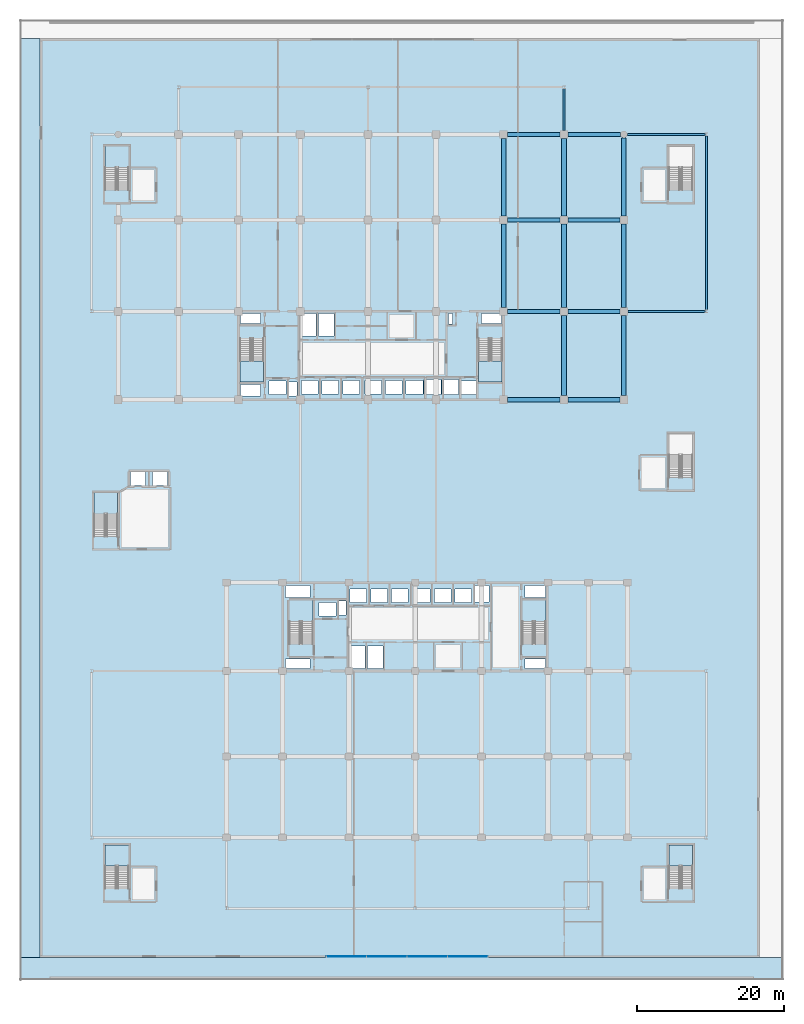
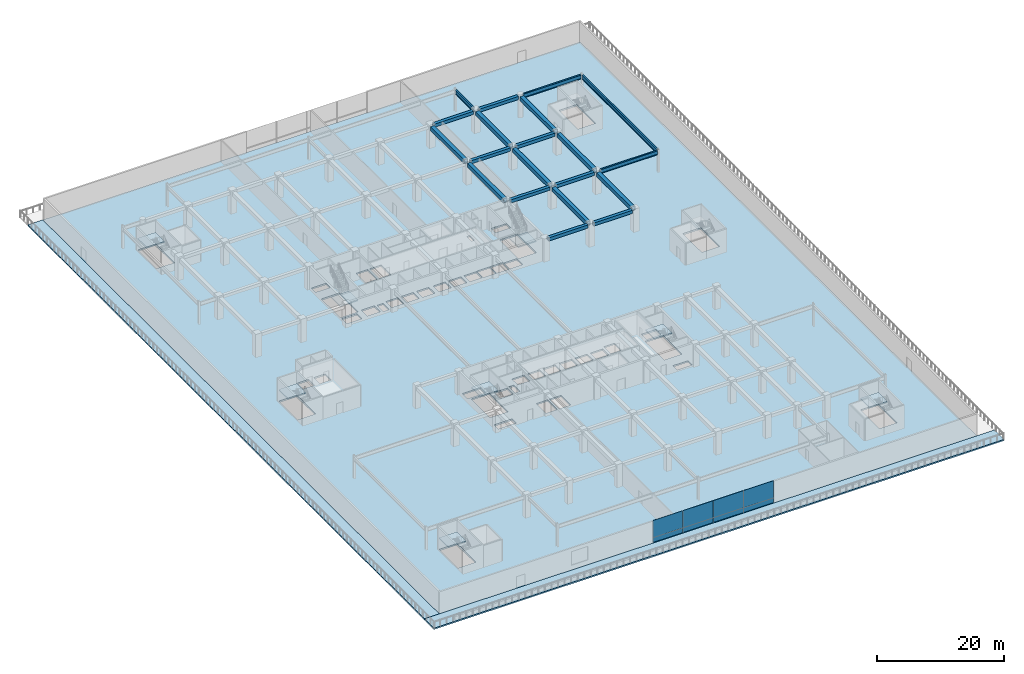
# One storey, part 16 of 43: 20 beams, 11 slabs, 8 plates, 9 elements without a shape of their own.
"""IFC4 building model written with IfcOpenShell, lengths in metres."""

from ifc_helpers import new_model, si_unit, direction, frame, origin, origin_2d, place, context, subcontext, project, spatial, polyline, rectangle, i_section, outline, extrude, material, layer, layer_set, material_profile, profile_set, type_object, element, aggregate, save


model = new_model("IFC4")

# Units and contexts
model_context = context("Model", 3, precision=1e-05, world=origin(), true_north=direction((0.0, 1.0)))
body_context = subcontext(model_context, "Body", "Model", "MODEL_VIEW")
ifc_project = project(units=[si_unit("LENGTHUNIT", "METRE"), si_unit("AREAUNIT", "SQUARE_METRE"), si_unit("VOLUMEUNIT", "CUBIC_METRE"), si_unit("PLANEANGLEUNIT", "RADIAN"), si_unit("MASSUNIT", "GRAM", prefix="KILO")], contexts=[model_context])

# Site, building, storey
site_placement = place(None, origin())
site = spatial("IfcSite", under=ifc_project, at=site_placement, CompositionType="ELEMENT")
building_placement = place(site_placement, origin())
building = spatial("IfcBuilding", under=site, at=building_placement, Name="Korimba Cascade Residences", CompositionType="ELEMENT")
storey_placement = place(building_placement, frame((0.0, 0.0, 10.0)))
storey = spatial("IfcBuildingStorey", under=building, at=storey_placement, Name="L02", CompositionType="ELEMENT", Elevation=10.0)

# Beams
ifc_material_1 = material(Name="Concrete C50/60", Category="concrete")
ifc_material_profile_1 = material_profile(ifc_material_1, rectangle(XDim=0.550048828125, YDim=0.60009765625, at=origin_2d()), Name="Concrete C50/60")
ifc_profile_set_1 = profile_set([ifc_material_profile_1], Name="Concrete C50/60")
beam_type_1 = type_object("IfcBeamType", Name="BM-RC-B600", PredefinedType="BEAM", material=ifc_profile_set_1)
beam_1_placement = place(storey_placement, frame((112.64990234375, 55.199951171875, 3.89990234375), z_axis=(1.0, 0.0, 0.0), x_axis=(0.0, 1.0, 0.0)))
element("IfcBeam", 1, at=beam_1_placement, inside=storey, type_object=beam_type_1, Name="L02 T1 E-W Girder Y1 Bay 7", PredefinedType="BEAM", context=body_context, shape_type="SweptSolid", body=[
    extrude(rectangle(XDim=0.550048828125, YDim=0.60009765625, at=origin_2d()), origin(), (0.0, 0.0, 1.0), 7.10009765625),
])
beam_2_placement = place(storey_placement, frame((120.85009765625, 55.199951171875, 3.89990234375), z_axis=(1.0, 0.0, 0.0), x_axis=(0.0, 1.0, 0.0)))
element("IfcBeam", 2, at=beam_2_placement, inside=storey, type_object=beam_type_1, Name="L02 T1 E-W Girder Y1 Bay 8", PredefinedType="BEAM", context=body_context, shape_type="SweptSolid", body=[
    extrude(rectangle(XDim=0.550048828125, YDim=0.60009765625, at=origin_2d()), origin(), (0.0, 0.0, 1.0), 7.0),
])
beam_3_placement = place(storey_placement, frame((112.64990234375, 67.199951171875, 3.89990234375), z_axis=(1.0, 0.0, 0.0), x_axis=(0.0, 1.0, 0.0)))
element("IfcBeam", 3, at=beam_3_placement, inside=storey, type_object=beam_type_1, Name="L02 T1 E-W Girder Y2 Bay 7", PredefinedType="BEAM", context=body_context, shape_type="SweptSolid", body=[
    extrude(rectangle(XDim=0.550048828125, YDim=0.60009765625, at=origin_2d()), origin(), (0.0, 0.0, 1.0), 7.10009765625),
])
beam_4_placement = place(storey_placement, frame((120.85009765625, 67.199951171875, 3.89990234375), z_axis=(1.0, 0.0, 0.0), x_axis=(0.0, 1.0, 0.0)))
element("IfcBeam", 4, at=beam_4_placement, inside=storey, type_object=beam_type_1, Name="L02 T1 E-W Girder Y2 Bay 8", PredefinedType="BEAM", context=body_context, shape_type="SweptSolid", body=[
    extrude(rectangle(XDim=0.550048828125, YDim=0.60009765625, at=origin_2d()), origin(), (0.0, 0.0, 1.0), 7.0),
])
beam_5_placement = place(storey_placement, frame((112.64990234375, 79.60009765625, 3.89990234375), z_axis=(1.0, 0.0, 0.0), x_axis=(0.0, 1.0, 0.0)))
element("IfcBeam", 5, at=beam_5_placement, inside=storey, type_object=beam_type_1, Name="L02 T1 E-W Girder Y3 Bay 7", PredefinedType="BEAM", context=body_context, shape_type="SweptSolid", body=[
    extrude(rectangle(XDim=0.550048828125, YDim=0.60009765625, at=origin_2d()), origin(), (0.0, 0.0, 1.0), 7.10009765625),
])
beam_6_placement = place(storey_placement, frame((120.85009765625, 79.60009765625, 3.89990234375), z_axis=(1.0, 0.0, 0.0), x_axis=(0.0, 1.0, 0.0)))
element("IfcBeam", 6, at=beam_6_placement, inside=storey, type_object=beam_type_1, Name="L02 T1 E-W Girder Y3 Bay 8", PredefinedType="BEAM", context=body_context, shape_type="SweptSolid", body=[
    extrude(rectangle(XDim=0.550048828125, YDim=0.60009765625, at=origin_2d()), origin(), (0.0, 0.0, 1.0), 7.0),
])
beam_7_placement = place(storey_placement, frame((112.64990234375, 91.199951171875, 3.89990234375), z_axis=(1.0, 0.0, 0.0), x_axis=(0.0, 1.0, 0.0)))
element("IfcBeam", 7, at=beam_7_placement, inside=storey, type_object=beam_type_1, Name="L02 T1 E-W Girder Y4 Bay 7", PredefinedType="BEAM", context=body_context, shape_type="SweptSolid", body=[
    extrude(rectangle(XDim=0.550048828125, YDim=0.60009765625, at=origin_2d()), origin(), (0.0, 0.0, 1.0), 7.10009765625),
])
beam_8_placement = place(storey_placement, frame((120.85009765625, 91.199951171875, 3.89990234375), z_axis=(1.0, 0.0, 0.0), x_axis=(0.0, 1.0, 0.0)))
element("IfcBeam", 8, at=beam_8_placement, inside=storey, type_object=beam_type_1, Name="L02 T1 E-W Girder Y4 Bay 8", PredefinedType="BEAM", context=body_context, shape_type="SweptSolid", body=[
    extrude(rectangle(XDim=0.550048828125, YDim=0.60009765625, at=origin_2d()), origin(), (0.0, 0.0, 1.0), 7.074951171875),
])
ifc_material_profile_2 = material_profile(ifc_material_1, rectangle(XDim=0.64990234375, YDim=0.75, at=origin_2d()), Name="Concrete C50/60")
ifc_profile_set_2 = profile_set([ifc_material_profile_2], Name="Concrete C50/60")
beam_type_2 = type_object("IfcBeamType", Name="BM-RC-G750", PredefinedType="BEAM", material=ifc_profile_set_2)
beam_9_placement = place(storey_placement, frame((112.10009765625, 67.75, 3.824951171875), z_axis=(0.0, 1.0, 0.0), x_axis=(-1.0, 0.0, 0.0)))
element("IfcBeam", 9, at=beam_9_placement, inside=storey, type_object=beam_type_2, Name="L02 T1 N-S Girder X7 Seg 2", PredefinedType="BEAM", context=body_context, shape_type="SweptSolid", body=[
    extrude(rectangle(XDim=0.64990234375, YDim=0.75, at=origin_2d()), origin(), (0.0, 0.0, 1.0), 11.300048828125),
])
beam_10_placement = place(storey_placement, frame((112.10009765625, 80.14990234375, 3.824951171875), z_axis=(0.0, 1.0, 0.0), x_axis=(-1.0, 0.0, 0.0)))
element("IfcBeam", 10, at=beam_10_placement, inside=storey, type_object=beam_type_2, Name="L02 T1 N-S Girder X7 Seg 3", PredefinedType="BEAM", context=body_context, shape_type="SweptSolid", body=[
    extrude(rectangle(XDim=0.64990234375, YDim=0.75, at=origin_2d()), origin(), (0.0, 0.0, 1.0), 10.5),
])
beam_11_placement = place(storey_placement, frame((120.300048828125, 55.75, 3.824951171875), z_axis=(0.0, 1.0, 0.0), x_axis=(-1.0, 0.0, 0.0)))
element("IfcBeam", 11, at=beam_11_placement, inside=storey, type_object=beam_type_2, Name="L02 T1 N-S Girder X8 Seg 1", PredefinedType="BEAM", context=body_context, shape_type="SweptSolid", body=[
    extrude(rectangle(XDim=0.64990234375, YDim=0.75, at=origin_2d()), origin(), (0.0, 0.0, 1.0), 10.89990234375),
])
beam_12_placement = place(storey_placement, frame((120.300048828125, 67.75, 3.824951171875), z_axis=(0.0, 1.0, 0.0), x_axis=(-1.0, 0.0, 0.0)))
element("IfcBeam", 12, at=beam_12_placement, inside=storey, type_object=beam_type_2, Name="L02 T1 N-S Girder X8 Seg 2", PredefinedType="BEAM", context=body_context, shape_type="SweptSolid", body=[
    extrude(rectangle(XDim=0.64990234375, YDim=0.75, at=origin_2d()), origin(), (0.0, 0.0, 1.0), 11.300048828125),
])
beam_13_placement = place(storey_placement, frame((120.300048828125, 80.14990234375, 3.824951171875), z_axis=(0.0, 1.0, 0.0), x_axis=(-1.0, 0.0, 0.0)))
element("IfcBeam", 13, at=beam_13_placement, inside=storey, type_object=beam_type_2, Name="L02 T1 N-S Girder X8 Seg 3", PredefinedType="BEAM", context=body_context, shape_type="SweptSolid", body=[
    extrude(rectangle(XDim=0.64990234375, YDim=0.75, at=origin_2d()), origin(), (0.0, 0.0, 1.0), 10.5),
])
beam_14_placement = place(storey_placement, frame((128.39990234375, 55.75, 3.824951171875), z_axis=(0.0, 1.0, 0.0), x_axis=(-1.0, 0.0, 0.0)))
element("IfcBeam", 14, at=beam_14_placement, inside=storey, type_object=beam_type_2, Name="L02 T1 N-S Girder X9 Seg 1", PredefinedType="BEAM", context=body_context, shape_type="SweptSolid", body=[
    extrude(rectangle(XDim=0.64990234375, YDim=0.75, at=origin_2d()), origin(), (0.0, 0.0, 1.0), 10.89990234375),
])
beam_15_placement = place(storey_placement, frame((128.39990234375, 67.75, 3.824951171875), z_axis=(0.0, 1.0, 0.0), x_axis=(-1.0, 0.0, 0.0)))
element("IfcBeam", 15, at=beam_15_placement, inside=storey, type_object=beam_type_2, Name="L02 T1 N-S Girder X9 Seg 2", PredefinedType="BEAM", context=body_context, shape_type="SweptSolid", body=[
    extrude(rectangle(XDim=0.64990234375, YDim=0.75, at=origin_2d()), origin(), (0.0, 0.0, 1.0), 11.300048828125),
])
beam_16_placement = place(storey_placement, frame((128.39990234375, 80.14990234375, 3.824951171875), z_axis=(0.0, 1.0, 0.0), x_axis=(-1.0, 0.0, 0.0)))
element("IfcBeam", 16, at=beam_16_placement, inside=storey, type_object=beam_type_2, Name="L02 T1 N-S Girder X9 Seg 3", PredefinedType="BEAM", context=body_context, shape_type="SweptSolid", body=[
    extrude(rectangle(XDim=0.64990234375, YDim=0.75, at=origin_2d()), origin(), (0.0, 0.0, 1.0), 10.5751953125),
])
ifc_material_2 = material(Name="Steel S355", Category="steel")
ifc_material_profile_3 = material_profile(ifc_material_2, i_section(OverallWidth=0.26806640625, OverallDepth=0.769775390625, WebThickness=0.015625, FlangeThickness=0.025390625, FilletRadius=0.0166015625, at=origin_2d()), Name="Steel S355")
ifc_profile_set_3 = profile_set([ifc_material_profile_3], Name="Steel S355")
beam_type_3 = type_object("IfcBeamType", Name="BM-STL-UB762", PredefinedType="BEAM", material=ifc_profile_set_3)
beam_17_placement = place(storey_placement, frame((128.949951171875, 67.199951171875, 3.815185546875), z_axis=(1.0, 0.0, 0.0), x_axis=(0.0, 1.0, 0.0)))
element("IfcBeam", 17, at=beam_17_placement, inside=storey, type_object=beam_type_3, Name="L02 Podium Frame Girder E3", PredefinedType="BEAM", context=body_context, shape_type="SweptSolid", body=[
    extrude(i_section(OverallWidth=0.26806640625, OverallDepth=0.769775390625, WebThickness=0.015625, FlangeThickness=0.025390625, FilletRadius=0.0166015625, at=origin_2d()), origin(), (0.0, 0.0, 1.0), 10.450439453125),
])
beam_18_placement = place(storey_placement, frame((128.875, 91.199951171875, 3.815185546875), z_axis=(1.0, 0.0, 0.0), x_axis=(0.0, 1.0, 0.0)))
element("IfcBeam", 18, at=beam_18_placement, inside=storey, type_object=beam_type_3, Name="L02 Podium Frame Girder E4", PredefinedType="BEAM", context=body_context, shape_type="SweptSolid", body=[
    extrude(i_section(OverallWidth=0.26806640625, OverallDepth=0.769775390625, WebThickness=0.015625, FlangeThickness=0.025390625, FilletRadius=0.0166015625, at=origin_2d()), origin(), (0.0, 0.0, 1.0), 10.525390625),
])
beam_19_placement = place(storey_placement, frame((139.60009765625, 67.396728515625, 3.815185546875), z_axis=(0.0, 1.0, 0.0), x_axis=(-1.0, 0.0, 0.0)))
element("IfcBeam", 19, at=beam_19_placement, inside=storey, type_object=beam_type_3, Name="L02 Podium Frame Girder ES", PredefinedType="BEAM", context=body_context, shape_type="SweptSolid", body=[
    extrude(i_section(OverallWidth=0.26806640625, OverallDepth=0.769775390625, WebThickness=0.015625, FlangeThickness=0.025390625, FilletRadius=0.0166015625, at=origin_2d()), origin(), (0.0, 0.0, 1.0), 23.6064453125),
])
beam_20_placement = place(storey_placement, frame((120.300048828125, 91.75, 3.815185546875), z_axis=(0.0, 1.0, 0.0), x_axis=(-1.0, 0.0, 0.0)))
element("IfcBeam", 20, at=beam_20_placement, inside=storey, type_object=beam_type_3, Name="L02 Podium Frame Girder N3", PredefinedType="BEAM", context=body_context, shape_type="SweptSolid", body=[
    extrude(i_section(OverallWidth=0.26806640625, OverallDepth=0.769775390625, WebThickness=0.015625, FlangeThickness=0.025390625, FilletRadius=0.0166015625, at=origin_2d()), origin(), (0.0, 0.0, 1.0), 5.6533203125),
])

# Curtain wall, plates
ifc_material_3 = material(Name="Anodised Aluminium Curtain Wall Framing", Category="aluminium")
ifc_layer_1 = layer(ifc_material_3, 0.179931640625)
ifc_layer_set_1 = layer_set([ifc_layer_1], Name="Anodised Aluminium Curtain Wall Framing")
curtain_wall_type = type_object("IfcCurtainWallType", Name="CW-POD-SYS1", PredefinedType="NOTDEFINED", material=ifc_layer_set_1)
curtain_wall_placement = place(storey_placement, origin())
curtain_wall = element("IfcCurtainWall", 21, at=curtain_wall_placement, inside=storey, type_object=curtain_wall_type, Name="L02 Curtain Wall CW-L02-POD-S", PredefinedType="NOTDEFINED")
ifc_material_4 = material(Name="Insulated Stone-Tone Spandrel Panel", Category="masonry")
ifc_layer_2 = layer(ifc_material_4, 0.0400390625)
ifc_layer_set_2 = layer_set([ifc_layer_2], Name="Insulated Stone-Tone Spandrel Panel")
plate_type_1 = type_object("IfcPlateType", Name="CWP-SPN-40", PredefinedType="USERDEFINED", material=ifc_layer_set_2)
plate_1_placement = place(storey_placement, frame((90.77001953125, -20.35009765625, 0.0), z_axis=(0.0, 0.0, 1.0), x_axis=(1.0, 0.0, 0.0)))
plate_1 = element("IfcPlate", 22, at=plate_1_placement, type_object=plate_type_1, Name="CW-L02-POD-S Spandrel Panel 1", ObjectType="SPANDREL", PredefinedType="USERDEFINED", context=body_context, shape_type="SweptSolid", body=[
    extrude(rectangle(XDim=5.409912109375, YDim=0.0400390625, at=origin_2d()), origin(), (0.0, 0.0, 1.0), 0.89990234375),
])
plate_2_placement = place(storey_placement, frame((96.25, -20.35009765625, 0.0), z_axis=(0.0, 0.0, 1.0), x_axis=(1.0, 0.0, 0.0)))
plate_2 = element("IfcPlate", 23, at=plate_2_placement, type_object=plate_type_1, Name="CW-L02-POD-S Spandrel Panel 2", ObjectType="SPANDREL", PredefinedType="USERDEFINED", context=body_context, shape_type="SweptSolid", body=[
    extrude(rectangle(XDim=5.449951171875, YDim=0.0400390625, at=origin_2d()), origin(), (0.0, 0.0, 1.0), 0.89990234375),
])
plate_3_placement = place(storey_placement, frame((101.75, -20.35009765625, 0.0), z_axis=(0.0, 0.0, 1.0), x_axis=(1.0, 0.0, 0.0)))
plate_3 = element("IfcPlate", 24, at=plate_3_placement, type_object=plate_type_1, Name="CW-L02-POD-S Spandrel Panel 3", ObjectType="SPANDREL", PredefinedType="USERDEFINED", context=body_context, shape_type="SweptSolid", body=[
    extrude(rectangle(XDim=5.449951171875, YDim=0.0400390625, at=origin_2d()), origin(), (0.0, 0.0, 1.0), 0.89990234375),
])
plate_4_placement = place(storey_placement, frame((107.22998046875, -20.35009765625, 0.0), z_axis=(0.0, 0.0, 1.0), x_axis=(1.0, 0.0, 0.0)))
plate_4 = element("IfcPlate", 25, at=plate_4_placement, type_object=plate_type_1, Name="CW-L02-POD-S Spandrel Panel 4", ObjectType="SPANDREL", PredefinedType="USERDEFINED", context=body_context, shape_type="SweptSolid", body=[
    extrude(rectangle(XDim=5.409912109375, YDim=0.0400390625, at=origin_2d()), origin(), (0.0, 0.0, 1.0), 0.89990234375),
])
ifc_material_5 = material(Name="Low-E Double Glazing Unit", Category="glass")
ifc_layer_3 = layer(ifc_material_5, 0.028076171875)
ifc_layer_set_3 = layer_set([ifc_layer_3], Name="Low-E Double Glazing Unit")
plate_type_2 = type_object("IfcPlateType", Name="CWP-VIS-28", PredefinedType="CURTAIN_PANEL", material=ifc_layer_set_3)
plate_5_placement = place(storey_placement, frame((90.77001953125, -20.35009765625, 0.89990234375), z_axis=(0.0, 0.0, 1.0), x_axis=(1.0, 0.0, 0.0)))
plate_5 = element("IfcPlate", 26, at=plate_5_placement, type_object=plate_type_2, Name="CW-L02-POD-S Vision Glass Panel 1", PredefinedType="CURTAIN_PANEL", context=body_context, shape_type="SweptSolid", body=[
    extrude(rectangle(XDim=5.409912109375, YDim=0.028076171875, at=origin_2d()), origin(), (0.0, 0.0, 1.0), 3.300048828125),
])
plate_6_placement = place(storey_placement, frame((96.25, -20.35009765625, 0.89990234375), z_axis=(0.0, 0.0, 1.0), x_axis=(1.0, 0.0, 0.0)))
plate_6 = element("IfcPlate", 27, at=plate_6_placement, type_object=plate_type_2, Name="CW-L02-POD-S Vision Glass Panel 2", PredefinedType="CURTAIN_PANEL", context=body_context, shape_type="SweptSolid", body=[
    extrude(rectangle(XDim=5.449951171875, YDim=0.028076171875, at=origin_2d()), origin(), (0.0, 0.0, 1.0), 3.300048828125),
])
plate_7_placement = place(storey_placement, frame((101.75, -20.35009765625, 0.89990234375), z_axis=(0.0, 0.0, 1.0), x_axis=(1.0, 0.0, 0.0)))
plate_7 = element("IfcPlate", 28, at=plate_7_placement, type_object=plate_type_2, Name="CW-L02-POD-S Vision Glass Panel 3", PredefinedType="CURTAIN_PANEL", context=body_context, shape_type="SweptSolid", body=[
    extrude(rectangle(XDim=5.449951171875, YDim=0.028076171875, at=origin_2d()), origin(), (0.0, 0.0, 1.0), 3.300048828125),
])
plate_8_placement = place(storey_placement, frame((107.22998046875, -20.35009765625, 0.89990234375), z_axis=(0.0, 0.0, 1.0), x_axis=(1.0, 0.0, 0.0)))
plate_8 = element("IfcPlate", 29, at=plate_8_placement, type_object=plate_type_2, Name="CW-L02-POD-S Vision Glass Panel 4", PredefinedType="CURTAIN_PANEL", context=body_context, shape_type="SweptSolid", body=[
    extrude(rectangle(XDim=5.409912109375, YDim=0.028076171875, at=origin_2d()), origin(), (0.0, 0.0, 1.0), 3.300048828125),
])
aggregate(curtain_wall, [plate_1, plate_5, plate_2, plate_6, plate_3, plate_7, plate_4, plate_8])

# Stair, slab
stair_type_1 = type_object("IfcStairType", Name="STR-W1-24R-1875", PredefinedType="HALF_TURN_STAIR", material=ifc_material_1)
stair_1_placement = place(storey_placement, origin())
stair_1 = element("IfcStair", 30, at=stair_1_placement, inside=storey, type_object=stair_type_1, Name="L02 Tower 1 West Fire Stair ST-W1", PredefinedType="HALF_TURN_STAIR")
ifc_layer_4 = layer(ifc_material_1, 0.199951171875)
ifc_layer_set_4 = layer_set([ifc_layer_4], Name="Concrete C50/60")
slab_type_1 = type_object("IfcSlabType", Name="SLB-LND-220", PredefinedType="LANDING", material=ifc_layer_set_4)
slab_1_placement = place(storey_placement, frame((0.0, 0.0, 2.050048828125)))
slab_1 = element("IfcSlab", 31, at=slab_1_placement, type_object=slab_type_1, Name="ST-W1 landing 1", PredefinedType="LANDING", context=body_context, shape_type="SweptSolid", body=[
    extrude(outline(polyline([(76.300048828125, 60.469970703125), (76.300048828125, 57.60009765625), (79.5400390625, 57.60009765625), (79.5400390625, 60.469970703125), (76.300048828125, 60.469970703125)])), origin(), (0.0, 0.0, 1.0), 0.199951171875),
])
aggregate(stair_1, [slab_1])

stair_type_2 = type_object("IfcStairType", Name="STR-W2-24R-1875", PredefinedType="HALF_TURN_STAIR", material=ifc_material_1)
stair_2_placement = place(storey_placement, origin())
stair_2 = element("IfcStair", 32, at=stair_2_placement, inside=storey, type_object=stair_type_2, Name="L02 Tower 1 East Fire Stair ST-W2", PredefinedType="HALF_TURN_STAIR")
slab_2_placement = place(storey_placement, frame((0.0, 0.0, 2.050048828125)))
slab_2 = element("IfcSlab", 33, at=slab_2_placement, type_object=slab_type_1, Name="ST-W2 landing 1", PredefinedType="LANDING", context=body_context, shape_type="SweptSolid", body=[
    extrude(outline(polyline([(108.659912109375, 60.469970703125), (108.659912109375, 57.60009765625), (111.89990234375, 57.60009765625), (111.89990234375, 60.469970703125), (108.659912109375, 60.469970703125)])), origin(), (0.0, 0.0, 1.0), 0.199951171875),
])
aggregate(stair_2, [slab_2])

stair_type_3 = type_object("IfcStairType", Name="STR-E1-24R-1875", PredefinedType="HALF_TURN_STAIR", material=ifc_material_1)
stair_3_placement = place(storey_placement, origin())
stair_3 = element("IfcStair", 34, at=stair_3_placement, inside=storey, type_object=stair_type_3, Name="L02 Tower 2 West Fire Stair ST-E1", PredefinedType="HALF_TURN_STAIR")
slab_3_placement = place(storey_placement, frame((0.0, 0.0, 2.050048828125)))
slab_3 = element("IfcSlab", 35, at=slab_3_placement, type_object=slab_type_1, Name="ST-E1 landing 1", PredefinedType="LANDING", context=body_context, shape_type="SweptSolid", body=[
    extrude(outline(polyline([(86.239990234375, 25.1298828125), (86.239990234375, 28.0), (83.0, 28.0), (83.0, 25.1298828125), (86.239990234375, 25.1298828125)])), origin(), (0.0, 0.0, 1.0), 0.199951171875),
])
aggregate(stair_3, [slab_3])

stair_type_4 = type_object("IfcStairType", Name="STR-E2-24R-1875", PredefinedType="HALF_TURN_STAIR", material=ifc_material_1)
stair_4_placement = place(storey_placement, origin())
stair_4 = element("IfcStair", 36, at=stair_4_placement, inside=storey, type_object=stair_type_4, Name="L02 Tower 2 East Fire Stair ST-E2", PredefinedType="HALF_TURN_STAIR")
slab_4_placement = place(storey_placement, frame((0.0, 0.0, 2.050048828125)))
slab_4 = element("IfcSlab", 37, at=slab_4_placement, type_object=slab_type_1, Name="ST-E2 landing 1", PredefinedType="LANDING", context=body_context, shape_type="SweptSolid", body=[
    extrude(outline(polyline([(117.840087890625, 25.1298828125), (117.840087890625, 28.0), (114.60009765625, 28.0), (114.60009765625, 25.1298828125), (117.840087890625, 25.1298828125)])), origin(), (0.0, 0.0, 1.0), 0.199951171875),
])
aggregate(stair_4, [slab_4])

stair_type_5 = type_object("IfcStairType", Name="STR-P1-24R-1875", PredefinedType="HALF_TURN_STAIR", material=ifc_material_1)
stair_5_placement = place(storey_placement, origin())
stair_5 = element("IfcStair", 38, at=stair_5_placement, inside=storey, type_object=stair_type_5, Name="L02 Podium West Fire Stair ST-P1", PredefinedType="HALF_TURN_STAIR")
slab_5_placement = place(storey_placement, frame((0.0, 0.0, 2.050048828125)))
slab_5 = element("IfcSlab", 39, at=slab_5_placement, type_object=slab_type_1, Name="ST-P1 landing 1", PredefinedType="LANDING", context=body_context, shape_type="SweptSolid", body=[
    extrude(outline(polyline([(59.739990234375, 39.72998046875), (59.739990234375, 42.60009765625), (56.5, 42.60009765625), (56.5, 39.72998046875), (59.739990234375, 39.72998046875)])), origin(), (0.0, 0.0, 1.0), 0.199951171875),
])
aggregate(stair_5, [slab_5])

stair_type_6 = type_object("IfcStairType", Name="STR-P3-24R-1875", PredefinedType="HALF_TURN_STAIR", material=ifc_material_1)
stair_6_placement = place(storey_placement, origin())
stair_6 = element("IfcStair", 40, at=stair_6_placement, inside=storey, type_object=stair_type_6, Name="L02 Podium South-West Corner Fire Stair ST-P3", PredefinedType="HALF_TURN_STAIR")
slab_6_placement = place(storey_placement, frame((0.0, 0.0, 2.050048828125)))
slab_6 = element("IfcSlab", 41, at=slab_6_placement, type_object=slab_type_1, Name="ST-P3 landing 1", PredefinedType="LANDING", context=body_context, shape_type="SweptSolid", body=[
    extrude(outline(polyline([(61.239990234375, -8.070068359375), (61.239990234375, -5.199951171875), (58.0, -5.199951171875), (58.0, -8.070068359375), (61.239990234375, -8.070068359375)])), origin(), (0.0, 0.0, 1.0), 0.199951171875),
])
aggregate(stair_6, [slab_6])

stair_type_7 = type_object("IfcStairType", Name="STR-P5-24R-1875", PredefinedType="HALF_TURN_STAIR", material=ifc_material_1)
stair_7_placement = place(storey_placement, origin())
stair_7 = element("IfcStair", 42, at=stair_7_placement, inside=storey, type_object=stair_type_7, Name="L02 Podium North-West Corner Fire Stair ST-P5", PredefinedType="HALF_TURN_STAIR")
slab_7_placement = place(storey_placement, frame((0.0, 0.0, 2.050048828125)))
slab_7 = element("IfcSlab", 43, at=slab_7_placement, type_object=slab_type_1, Name="ST-P5 landing 1", PredefinedType="LANDING", context=body_context, shape_type="SweptSolid", body=[
    extrude(outline(polyline([(61.239990234375, 86.72998046875), (61.239990234375, 89.60009765625), (58.0, 89.60009765625), (58.0, 86.72998046875), (61.239990234375, 86.72998046875)])), origin(), (0.0, 0.0, 1.0), 0.199951171875),
])
aggregate(stair_7, [slab_7])

stair_type_8 = type_object("IfcStairType", Name="STR-P6-24R-1875", PredefinedType="HALF_TURN_STAIR", material=ifc_material_1)
stair_8_placement = place(storey_placement, origin())
stair_8 = element("IfcStair", 44, at=stair_8_placement, inside=storey, type_object=stair_type_8, Name="L02 Podium South-East Corner Fire Stair ST-P6", PredefinedType="HALF_TURN_STAIR")
slab_8_placement = place(storey_placement, frame((0.0, 0.0, 2.050048828125)))
slab_8 = element("IfcSlab", 45, at=slab_8_placement, type_object=slab_type_1, Name="ST-P6 landing 1", PredefinedType="LANDING", context=body_context, shape_type="SweptSolid", body=[
    extrude(outline(polyline([(137.739990234375, -8.070068359375), (137.739990234375, -5.199951171875), (134.5, -5.199951171875), (134.5, -8.070068359375), (137.739990234375, -8.070068359375)])), origin(), (0.0, 0.0, 1.0), 0.199951171875),
])
aggregate(stair_8, [slab_8])

# Slabs
ifc_layer_5 = layer(ifc_material_1, 0.300048828125)
ifc_layer_set_5 = layer_set([ifc_layer_5], Name="Concrete C50/60")
slab_type_2 = type_object("IfcSlabType", Name="SLB-POD-300", PredefinedType="FLOOR", material=ifc_layer_set_5)
slab_9_placement = place(storey_placement, frame((0.0, 0.0, -0.300048828125)))
element("IfcSlab", 46, at=slab_9_placement, inside=storey, type_object=slab_type_2, Name="L02 Podium Floor Slab", PredefinedType="FLOOR", context=body_context, shape_type="SweptSolid", body=[
    extrude(outline(polyline([(49.199951171875, -20.5), (146.800048828125, -20.5), (146.800048828125, 104.199951171875), (49.199951171875, 104.199951171875), (49.199951171875, -20.5)]), holes=[polyline([(76.300048828125, 63.514892578125), (76.300048828125, 57.60009765625), (79.5400390625, 57.60009765625), (79.5400390625, 63.514892578125), (76.300048828125, 63.514892578125)]), polyline([(108.659912109375, 63.514892578125), (108.659912109375, 57.60009765625), (111.89990234375, 57.60009765625), (111.89990234375, 63.514892578125), (108.659912109375, 63.514892578125)]), polyline([(86.239990234375, 22.0849609375), (86.239990234375, 28.0), (83.0, 28.0), (83.0, 22.0849609375), (86.239990234375, 22.0849609375)]), polyline([(117.840087890625, 22.0849609375), (117.840087890625, 28.0), (114.60009765625, 28.0), (114.60009765625, 22.0849609375), (117.840087890625, 22.0849609375)]), polyline([(59.739990234375, 36.68505859375), (59.739990234375, 42.60009765625), (56.5, 42.60009765625), (56.5, 36.68505859375), (59.739990234375, 36.68505859375)]), polyline([(137.739990234375, 44.68505859375), (137.739990234375, 50.60009765625), (134.5, 50.60009765625), (134.5, 44.68505859375), (137.739990234375, 44.68505859375)]), polyline([(61.239990234375, -11.114990234375), (61.239990234375, -5.199951171875), (58.0, -5.199951171875), (58.0, -11.114990234375), (61.239990234375, -11.114990234375)]), polyline([(137.739990234375, 83.68505859375), (137.739990234375, 89.60009765625), (134.5, 89.60009765625), (134.5, 83.68505859375), (137.739990234375, 83.68505859375)]), polyline([(61.239990234375, 83.68505859375), (61.239990234375, 89.60009765625), (58.0, 89.60009765625), (58.0, 83.68505859375), (61.239990234375, 83.68505859375)]), polyline([(137.739990234375, -11.114990234375), (137.739990234375, -5.199951171875), (134.5, -5.199951171875), (134.5, -11.114990234375), (137.739990234375, -11.114990234375)]), polyline([(80.22998046875, 55.8798828125), (82.570068359375, 55.8798828125), (82.570068359375, 57.719970703125), (80.22998046875, 57.719970703125), (80.22998046875, 55.8798828125)]), polyline([(106.080078125, 55.8798828125), (108.419921875, 55.8798828125), (108.419921875, 57.719970703125), (106.080078125, 57.719970703125), (106.080078125, 55.8798828125)]), polyline([(87.030029296875, 25.8798828125), (89.3701171875, 25.8798828125), (89.3701171875, 27.719970703125), (87.030029296875, 27.719970703125), (87.030029296875, 25.8798828125)]), polyline([(84.679931640625, 55.97998046875), (86.919921875, 55.97998046875), (86.919921875, 57.820068359375), (84.679931640625, 57.820068359375), (84.679931640625, 55.97998046875)]), polyline([(87.47998046875, 55.97998046875), (89.719970703125, 55.97998046875), (89.719970703125, 57.820068359375), (87.47998046875, 57.820068359375), (87.47998046875, 55.97998046875)]), polyline([(90.280029296875, 55.97998046875), (92.52001953125, 55.97998046875), (92.52001953125, 57.820068359375), (90.280029296875, 57.820068359375), (90.280029296875, 55.97998046875)]), polyline([(93.280029296875, 55.97998046875), (95.52001953125, 55.97998046875), (95.52001953125, 57.820068359375), (93.280029296875, 57.820068359375), (93.280029296875, 55.97998046875)]), polyline([(96.080078125, 55.97998046875), (98.320068359375, 55.97998046875), (98.320068359375, 57.820068359375), (96.080078125, 57.820068359375), (96.080078125, 55.97998046875)]), polyline([(98.8798828125, 55.97998046875), (101.1201171875, 55.97998046875), (101.1201171875, 57.820068359375), (98.8798828125, 57.820068359375), (98.8798828125, 55.97998046875)]), polyline([(101.304931640625, 55.8798828125), (103.594970703125, 55.8798828125), (103.594970703125, 57.919921875), (101.304931640625, 57.919921875), (101.304931640625, 55.8798828125)]), polyline([(103.705078125, 55.8798828125), (105.9951171875, 55.8798828125), (105.9951171875, 57.919921875), (103.705078125, 57.919921875), (103.705078125, 55.8798828125)]), polyline([(91.280029296875, 27.679931640625), (93.52001953125, 27.679931640625), (93.52001953125, 29.52001953125), (91.280029296875, 29.52001953125), (91.280029296875, 27.679931640625)]), polyline([(94.080078125, 27.679931640625), (96.320068359375, 27.679931640625), (96.320068359375, 29.52001953125), (94.080078125, 29.52001953125), (94.080078125, 27.679931640625)]), polyline([(96.8798828125, 27.679931640625), (99.1201171875, 27.679931640625), (99.1201171875, 29.52001953125), (96.8798828125, 29.52001953125), (96.8798828125, 27.679931640625)]), polyline([(99.8798828125, 27.679931640625), (102.1201171875, 27.679931640625), (102.1201171875, 29.52001953125), (99.8798828125, 29.52001953125), (99.8798828125, 27.679931640625)]), polyline([(102.679931640625, 27.679931640625), (104.919921875, 27.679931640625), (104.919921875, 29.52001953125), (102.679931640625, 29.52001953125), (102.679931640625, 27.679931640625)]), polyline([(105.47998046875, 27.679931640625), (107.719970703125, 27.679931640625), (107.719970703125, 29.52001953125), (105.47998046875, 29.52001953125), (105.47998046875, 27.679931640625)]), polyline([(61.47998046875, 43.580078125), (63.52001953125, 43.580078125), (63.52001953125, 45.419921875), (61.47998046875, 45.419921875), (61.47998046875, 43.580078125)]), polyline([(64.47998046875, 43.580078125), (66.52001953125, 43.580078125), (66.52001953125, 45.419921875), (64.47998046875, 45.419921875), (64.47998046875, 43.580078125)]), polyline([(82.97998046875, 55.679931640625), (84.080078125, 55.679931640625), (84.080078125, 57.6201171875), (82.97998046875, 57.6201171875), (82.97998046875, 55.679931640625)]), polyline([(76.39990234375, 65.56005859375), (79.10009765625, 65.56005859375), (79.10009765625, 66.8798828125), (76.39990234375, 66.8798828125), (76.39990234375, 65.56005859375)]), polyline([(76.39990234375, 55.679931640625), (79.10009765625, 55.679931640625), (79.10009765625, 57.239990234375), (76.39990234375, 57.239990234375), (76.39990234375, 55.679931640625)]), polyline([(84.530029296875, 63.820068359375), (86.6201171875, 63.820068359375), (86.6201171875, 66.8798828125), (84.530029296875, 66.8798828125), (84.530029296875, 63.820068359375)]), polyline([(86.97998046875, 63.820068359375), (89.070068359375, 63.820068359375), (89.070068359375, 66.8798828125), (86.97998046875, 66.8798828125), (86.97998046875, 63.820068359375)]), polyline([(104.6201171875, 65.4599609375), (105.179931640625, 65.4599609375), (105.179931640625, 66.8798828125), (104.6201171875, 66.8798828125), (104.6201171875, 65.4599609375)]), polyline([(109.080078125, 65.56005859375), (111.800048828125, 65.56005859375), (111.800048828125, 66.8798828125), (109.080078125, 66.8798828125), (109.080078125, 65.56005859375)]), polyline([(89.780029296875, 25.97998046875), (90.719970703125, 25.97998046875), (90.719970703125, 27.919921875), (89.780029296875, 27.919921875), (89.780029296875, 25.97998046875)]), polyline([(82.530029296875, 18.72998046875), (85.800048828125, 18.72998046875), (85.800048828125, 20.0400390625), (82.530029296875, 20.0400390625), (82.530029296875, 18.72998046875)]), polyline([(82.530029296875, 28.360107421875), (85.800048828125, 28.360107421875), (85.800048828125, 29.969970703125), (82.530029296875, 29.969970703125), (82.530029296875, 28.360107421875)]), polyline([(108.22998046875, 27.780029296875), (110.1201171875, 27.780029296875), (110.1201171875, 29.969970703125), (108.22998046875, 29.969970703125), (108.22998046875, 27.780029296875)]), polyline([(91.22998046875, 18.72998046875), (93.27001953125, 18.72998046875), (93.27001953125, 21.780029296875), (91.22998046875, 21.780029296875), (91.22998046875, 18.72998046875)]), polyline([(93.6298828125, 18.72998046875), (95.719970703125, 18.72998046875), (95.719970703125, 21.780029296875), (93.6298828125, 21.780029296875), (93.6298828125, 18.72998046875)]), polyline([(115.02001953125, 18.72998046875), (117.739990234375, 18.72998046875), (117.739990234375, 20.0400390625), (115.02001953125, 20.0400390625), (115.02001953125, 18.72998046875)]), polyline([(115.02001953125, 28.360107421875), (117.739990234375, 28.360107421875), (117.739990234375, 29.969970703125), (115.02001953125, 29.969970703125), (115.02001953125, 28.360107421875)])]), origin(), (0.0, 0.0, 1.0), 0.300048828125),
])
ifc_layer_6 = layer(ifc_material_1, 0.260009765625)
ifc_layer_set_6 = layer_set([ifc_layer_6], Name="Concrete C50/60")
slab_type_3 = type_object("IfcSlabType", Name="SLB-TER-260", PredefinedType="FLOOR", material=ifc_layer_set_6)
slab_10_placement = place(storey_placement, frame((0.0, 0.0, -0.260009765625)))
element("IfcSlab", 47, at=slab_10_placement, inside=storey, type_object=slab_type_3, Name="L02 Cascading Garden Terrace Slab S", PredefinedType="FLOOR", context=body_context, shape_type="SweptSolid", body=[
    extrude(outline(polyline([(46.5, -23.5), (150.0, -23.5), (150.0, -20.5), (46.5, -20.5), (46.5, -23.5)])), origin(), (0.0, 0.0, 1.0), 0.260009765625),
])
slab_11_placement = place(storey_placement, frame((0.0, 0.0, -0.260009765625)))
element("IfcSlab", 48, at=slab_11_placement, inside=storey, type_object=slab_type_3, Name="L02 Cascading Garden Terrace Slab W", PredefinedType="FLOOR", context=body_context, shape_type="SweptSolid", body=[
    extrude(outline(polyline([(46.5, -20.5), (49.199951171875, -20.5), (49.199951171875, 104.199951171875), (46.5, 104.199951171875), (46.5, -20.5)])), origin(), (0.0, 0.0, 1.0), 0.260009765625),
])

save(model, "model.ifc")
